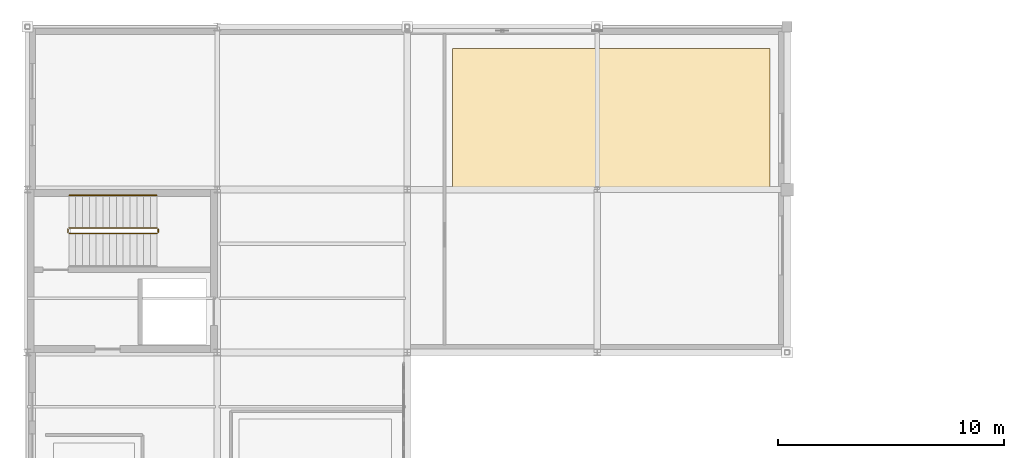
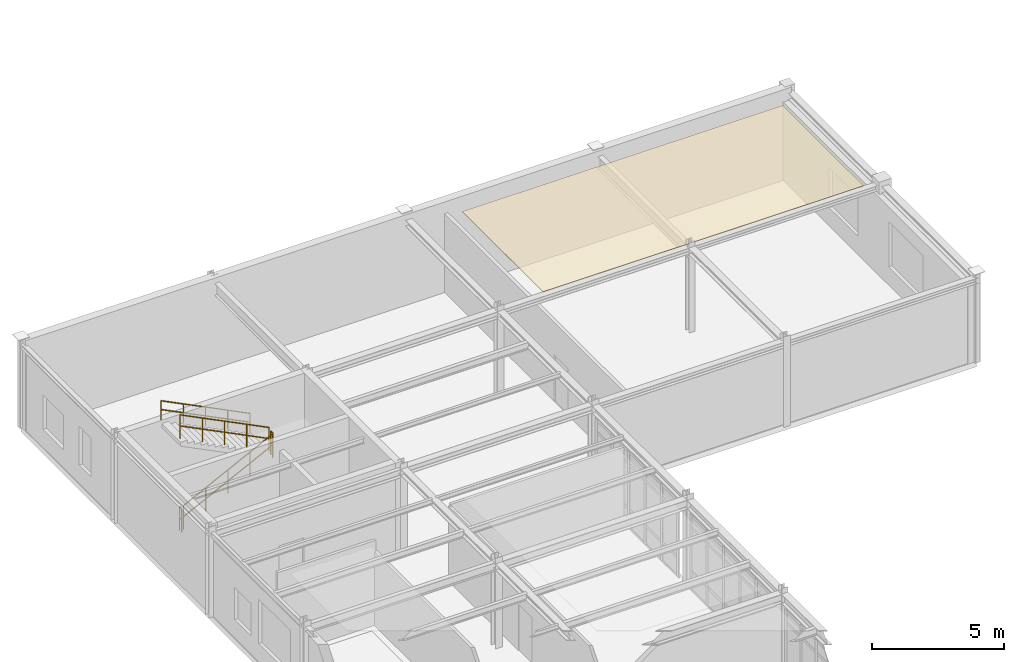
# One storey, part 85 of 90: 5 railings, 1 covering.
"""IFC4 building model written with IfcOpenShell, lengths in metres."""

from ifc_helpers import new_model, si_unit, derived_unit, direction, frame, origin, origin_2d, place, context, subcontext, project, spatial, polyline, circle, outline, extrude, material, layer, layer_set, type_object, element, save


model = new_model("IFC4")

# Units and contexts
model_context = context("Model", 3, precision=1e-05, world=origin(), true_north=direction((0.0, 1.0)))
body_context = subcontext(model_context, "Body", "Model", "MODEL_VIEW")
ifc_project = project(units=[si_unit("LENGTHUNIT", "METRE"), si_unit("AREAUNIT", "SQUARE_METRE"), si_unit("VOLUMEUNIT", "CUBIC_METRE"), si_unit("PLANEANGLEUNIT", "RADIAN"), si_unit("MASSUNIT", "GRAM", prefix="KILO"), derived_unit("THERMALTRANSMITTANCEUNIT", [(si_unit("POWERUNIT", "WATT"), 1), (si_unit("AREAUNIT", "SQUARE_METRE"), -1), (si_unit("THERMODYNAMICTEMPERATUREUNIT", "KELVIN"), -1)])], contexts=[model_context])

# Site, building, storey
site_placement = place(None, origin())
site = spatial("IfcSite", under=ifc_project, at=site_placement, CompositionType="ELEMENT")
building_placement = place(site_placement, origin())
building = spatial("IfcBuilding", under=site, at=building_placement, Name="Yasenodar Specialist Clinic", CompositionType="ELEMENT")
storey_placement = place(building_placement, frame((0.0, 0.0, 9.0)))
storey = spatial("IfcBuildingStorey", under=building, at=storey_placement, Name="L02", CompositionType="ELEMENT", Elevation=9.0)

# Covering
ifc_material_1 = material(Name="Hygienic Acoustic Mineral-Fibre Ceiling")
ifc_layer = layer(ifc_material_1, 0.02490234375)
ifc_layer_set = layer_set([ifc_layer], Name="Hygienic Acoustic Mineral-Fibre Ceiling")
covering_type = type_object("IfcCoveringType", Name="COV-CEIL-AC", PredefinedType="CEILING", material=ifc_layer_set)
covering_placement = place(storey_placement, frame((0.0, 0.0, 3.949951171875)))
element("IfcCovering", 1, at=covering_placement, inside=storey, type_object=covering_type, Name="L02 Gastroenterology Outpatient Suite Acoustic Ceiling", PredefinedType="CEILING", context=body_context, shape_type="SweptSolid", body=[
    extrude(outline(polyline([(32.85009765625, 104.5), (18.800048828125, 104.507080078125), (18.800048828125, 110.64990234375), (32.85009765625, 110.64990234375), (32.85009765625, 104.5)])), origin(), (0.0, 0.0, 1.0), 0.025146484375),
])

# Railings
ifc_material_2 = material(Name="Steel S355 Painted Stair Guardrail", Category="steel")
railing_type_1 = type_object("IfcRailingType", Name="RL-ST-GRD", PredefinedType="GUARDRAIL", material=ifc_material_2)
railing_1_placement = place(storey_placement, frame((1.840087890625, 102.449951171875, 0.14990234375)))
element("IfcRailing", 2, at=railing_1_placement, inside=storey, type_object=railing_type_1, Name="L02 ST-02 stair guard 1", PredefinedType="GUARDRAIL", context=body_context, shape_type="SweptSolid", body=[
    extrude(circle(Radius=0.02392578125, at=origin_2d()), frame((0.0, 0.0, 1.09619140625), z_axis=(0.894404793364, 0.0, 0.447258387967), x_axis=(0.0, 1.0, 0.0)), (0.0, 0.0, 1.0), 4.3603515625),
    extrude(circle(Radius=0.02392578125, at=origin_2d()), frame((0.0, 0.0, 0.58251953125), z_axis=(0.894404793364, 0.0, 0.447258387967), x_axis=(0.0, 1.0, 0.0)), (0.0, 0.0, 1.0), 4.3603515625),
    extrude(circle(Radius=0.02099609375, at=origin_2d()), origin(), (0.0, 0.0, 1.0), 1.072021484375),
    extrude(circle(Radius=0.02099609375, at=origin_2d()), frame((0.97509765625, 0.0, 0.487548828125)), (0.0, 0.0, 1.0), 1.072021484375),
    extrude(circle(Radius=0.02099609375, at=origin_2d()), frame((1.949951171875, 0.0, 0.97509765625)), (0.0, 0.0, 1.0), 1.072021484375),
    extrude(circle(Radius=0.02099609375, at=origin_2d()), frame((2.9248046875, 0.0, 1.462646484375)), (0.0, 0.0, 1.0), 1.072021484375),
    extrude(circle(Radius=0.02099609375, at=origin_2d()), frame((3.89990234375, 0.0, 1.9501953125)), (0.0, 0.0, 1.0), 1.072021484375),
])
railing_2_placement = place(storey_placement, frame((5.7900390625, 102.5, 2.10009765625)))
element("IfcRailing", 3, at=railing_2_placement, inside=storey, type_object=railing_type_1, Name="L02 ST-02 stair guard 2", PredefinedType="GUARDRAIL", context=body_context, shape_type="SweptSolid", body=[
    extrude(circle(Radius=0.02392578125, at=origin_2d()), frame((0.0, 0.0, 1.09619140625), z_axis=(0.0, 1.0, 0.0), x_axis=(-1.0, 0.0, 0.0)), (0.0, 0.0, 1.0), 0.159912109375),
    extrude(circle(Radius=0.02392578125, at=origin_2d()), frame((0.0, 0.0, 0.58251953125), z_axis=(0.0, 1.0, 0.0), x_axis=(-1.0, 0.0, 0.0)), (0.0, 0.0, 1.0), 0.159912109375),
    extrude(circle(Radius=0.02099609375, at=origin_2d()), origin(), (0.0, 0.0, 1.0), 1.072021484375),
    extrude(circle(Radius=0.02099609375, at=origin_2d()), frame((0.0, 0.159912109375, 0.0)), (0.0, 0.0, 1.0), 1.072021484375),
])
railing_3_placement = place(storey_placement, frame((5.739990234375, 102.7099609375, 2.25)))
element("IfcRailing", 4, at=railing_3_placement, inside=storey, type_object=railing_type_1, Name="L02 ST-02 stair guard 3", PredefinedType="GUARDRAIL", context=body_context, shape_type="SweptSolid", body=[
    extrude(circle(Radius=0.02392578125, at=origin_2d()), frame((0.0, 0.0, 1.09619140625), z_axis=(-0.894427191, 0.0, 0.4472135955), x_axis=(0.0, -1.0, 0.0)), (0.0, 0.0, 1.0), 4.360107421875),
    extrude(circle(Radius=0.02392578125, at=origin_2d()), frame((0.0, 0.0, 0.58251953125), z_axis=(-0.894427191, 0.0, 0.4472135955), x_axis=(0.0, -1.0, 0.0)), (0.0, 0.0, 1.0), 4.360107421875),
    extrude(circle(Radius=0.02099609375, at=origin_2d()), origin(), (0.0, 0.0, 1.0), 1.072021484375),
    extrude(circle(Radius=0.02099609375, at=origin_2d()), frame((-0.97509765625, 0.0, 0.487548828125)), (0.0, 0.0, 1.0), 1.072021484375),
    extrude(circle(Radius=0.02099609375, at=origin_2d()), frame((-1.949951171875, 0.0, 0.97509765625)), (0.0, 0.0, 1.0), 1.072021484375),
    extrude(circle(Radius=0.02099609375, at=origin_2d()), frame((-2.9248046875, 0.0, 1.46240234375)), (0.0, 0.0, 1.0), 1.072021484375),
    extrude(circle(Radius=0.02099609375, at=origin_2d()), frame((-3.89990234375, 0.0, 1.949951171875)), (0.0, 0.0, 1.0), 1.072021484375),
])
railing_4_placement = place(storey_placement, frame((1.7900390625, 102.5, 0.0)))
element("IfcRailing", 5, at=railing_4_placement, inside=storey, type_object=railing_type_1, Name="L02 ST-02 stair guard 4", PredefinedType="GUARDRAIL", context=body_context, shape_type="SweptSolid", body=[
    extrude(circle(Radius=0.02392578125, at=origin_2d()), frame((0.0, 0.0, 1.09619140625), z_axis=(0.0, 1.0, 0.0), x_axis=(-1.0, 0.0, 0.0)), (0.0, 0.0, 1.0), 0.159912109375),
    extrude(circle(Radius=0.02392578125, at=origin_2d()), frame((0.0, 0.0, 0.58251953125), z_axis=(0.0, 1.0, 0.0), x_axis=(-1.0, 0.0, 0.0)), (0.0, 0.0, 1.0), 0.159912109375),
    extrude(circle(Radius=0.02099609375, at=origin_2d()), origin(), (0.0, 0.0, 1.0), 1.072021484375),
    extrude(circle(Radius=0.02099609375, at=origin_2d()), frame((0.0, 0.159912109375, 0.0)), (0.0, 0.0, 1.0), 1.072021484375),
])
ifc_material_3 = material(Name="Brushed Stainless Steel Handrail", Category="steel")
railing_type_2 = type_object("IfcRailingType", Name="RL-ST-HND", PredefinedType="HANDRAIL", material=ifc_material_3)
railing_5_placement = place(storey_placement, frame((5.739990234375, 104.14990234375, 2.25)))
element("IfcRailing", 6, at=railing_5_placement, inside=storey, type_object=railing_type_2, Name="L02 ST-02 stair handrail 2", PredefinedType="HANDRAIL", context=body_context, shape_type="SweptSolid", body=[
    extrude(circle(Radius=0.02392578125, at=origin_2d()), frame((0.0, 0.0, 0.8759765625), z_axis=(-0.894427191, 0.0, 0.4472135955), x_axis=(0.0, -1.0, 0.0)), (0.0, 0.0, 1.0), 4.360107421875),
    extrude(circle(Radius=0.02392578125, at=origin_2d()), frame((0.0, 0.0, 0.468017578125), z_axis=(-0.894427191, 0.0, 0.4472135955), x_axis=(0.0, -1.0, 0.0)), (0.0, 0.0, 1.0), 4.360107421875),
    extrude(circle(Radius=0.02099609375, at=origin_2d()), origin(), (0.0, 0.0, 1.0), 0.851806640625),
    extrude(circle(Radius=0.02099609375, at=origin_2d()), frame((-0.97509765625, 0.0, 0.487548828125)), (0.0, 0.0, 1.0), 0.851806640625),
    extrude(circle(Radius=0.02099609375, at=origin_2d()), frame((-1.949951171875, 0.0, 0.97509765625)), (0.0, 0.0, 1.0), 0.851806640625),
    extrude(circle(Radius=0.02099609375, at=origin_2d()), frame((-2.9248046875, 0.0, 1.46240234375)), (0.0, 0.0, 1.0), 0.851806640625),
    extrude(circle(Radius=0.02099609375, at=origin_2d()), frame((-3.89990234375, 0.0, 1.949951171875)), (0.0, 0.0, 1.0), 0.851806640625),
])

save(model, "model.ifc")
